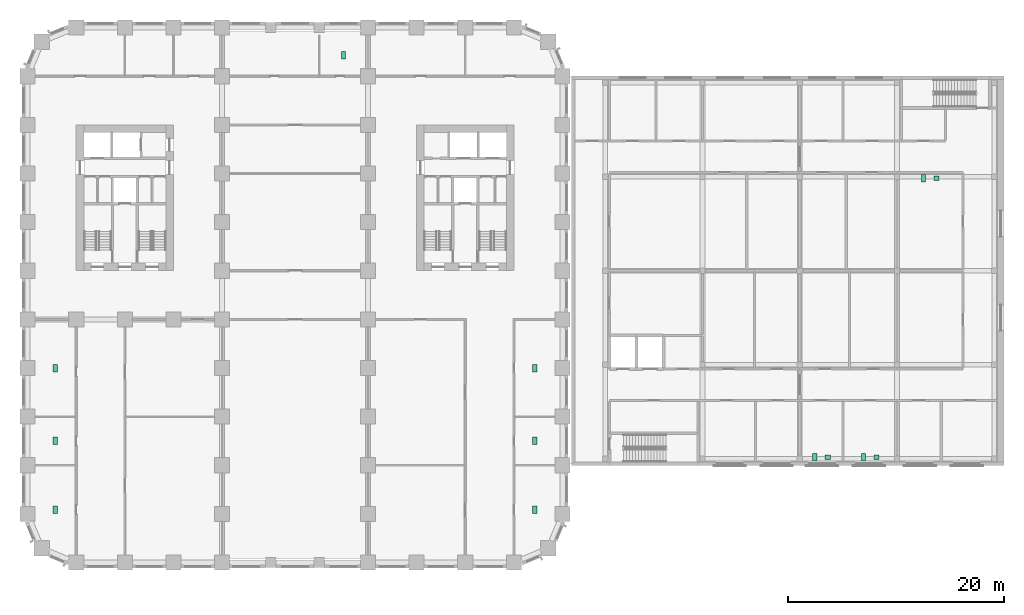
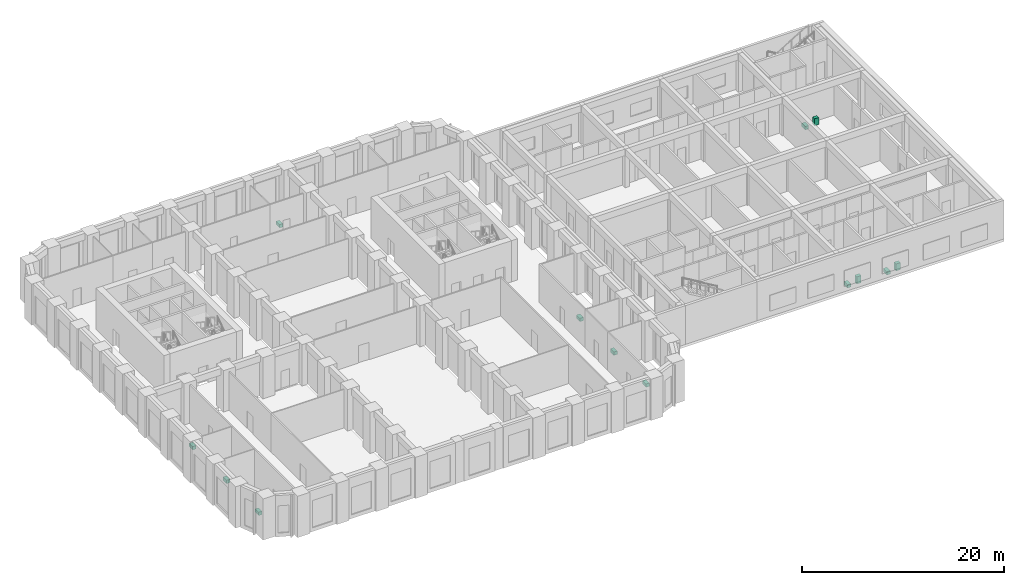
# One storey, part 19 of 19: 13 sanitary terminals.
"""IFC4 building model written with IfcOpenShell, lengths in metres."""

from ifc_helpers import new_model, si_unit, direction, frame, origin, origin_2d, place, context, subcontext, project, spatial, rectangle, extrude, material, type_object, element, save


model = new_model("IFC4")

# Units and contexts
model_context = context("Model", 3, precision=1e-05, world=origin(), true_north=direction((0.0, 1.0)))
body_context = subcontext(model_context, "Body", "Model", "MODEL_VIEW")
ifc_project = project(units=[si_unit("LENGTHUNIT", "METRE"), si_unit("AREAUNIT", "SQUARE_METRE"), si_unit("VOLUMEUNIT", "CUBIC_METRE"), si_unit("PLANEANGLEUNIT", "RADIAN"), si_unit("MASSUNIT", "GRAM", prefix="KILO")], contexts=[model_context])

# Site, building, storey
site_placement = place(None, origin())
site = spatial("IfcSite", under=ifc_project, at=site_placement, CompositionType="ELEMENT")
building_placement = place(site_placement, origin())
building = spatial("IfcBuilding", under=site, at=building_placement, Name="Girih Gate Residences", CompositionType="ELEMENT")
storey_placement = place(building_placement, frame((0.0, 0.0, 21.0)))
storey = spatial("IfcBuildingStorey", under=building, at=storey_placement, Name="L04", CompositionType="ELEMENT", Elevation=21.0)

# Sanitary terminals
ifc_material = material(Name="Vitreous china")
sanitary_terminal_type_1 = type_object("IfcSanitaryTerminalType", Name="HC WC pan", PredefinedType="WCSEAT", material=ifc_material)
for number, where, z_axis, x_axis, name in (
    (1, (72.85009765625, 9.75, 0.0), (0.0, 0.0, 1.0), (1.0, 0.0, 0.0), "L04 Accessible WC WC"),
    (2, (77.35009765625, 9.75, 0.0), (0.0, 0.0, 1.0), (1.0, 0.0, 0.0), "L04 Public WC WC"),
    (3, (82.89990234375, 35.550048828125, 0.0), (0.0, 0.0, 1.0), (1.0, 0.0, 0.0), "L04 Staff WC WC"),
):
    element("IfcSanitaryTerminal", number, at=place(storey_placement, frame(where, z_axis=z_axis, x_axis=x_axis)), inside=storey, type_object=sanitary_terminal_type_1, Name=name, PredefinedType="WCSEAT", context=body_context, shape_type="SweptSolid", body=[
        extrude(rectangle(XDim=0.39990234375, YDim=0.699951171875, at=origin_2d()), origin(), (0.0, 0.0, 1.0), 0.39990234375),
    ])
sanitary_terminal_type_2 = type_object("IfcSanitaryTerminalType", Name="HC Wash hand basin", PredefinedType="WASHHANDBASIN", material=ifc_material)
for number, where, z_axis, x_axis, name in (
    (4, (74.050048828125, 9.75, 0.0), (0.0, 0.0, 1.0), (1.0, 0.0, 0.0), "L04 Accessible WC basin"),
    (5, (78.550048828125, 9.75, 0.0), (0.0, 0.0, 1.0), (1.0, 0.0, 0.0), "L04 Public WC basin"),
    (6, (84.10009765625, 35.550048828125, 0.0), (0.0, 0.0, 1.0), (1.0, 0.0, 0.0), "L04 Staff WC basin"),
):
    element("IfcSanitaryTerminal", number, at=place(storey_placement, frame(where, z_axis=z_axis, x_axis=x_axis)), inside=storey, type_object=sanitary_terminal_type_2, Name=name, PredefinedType="WASHHANDBASIN", context=body_context, shape_type="SweptSolid", body=[
        extrude(rectangle(XDim=0.5, YDim=0.39990234375, at=origin_2d()), origin(), (0.0, 0.0, 1.0), 0.85009765625),
    ])
sanitary_terminal_type_3 = type_object("IfcSanitaryTerminalType", Name="WC pan", PredefinedType="TOILETPAN", material=ifc_material)
for number, where, z_axis, x_axis, name in (
    (7, (29.238037109375, 46.93798828125, 0.0), (0.0, 0.0, 1.0), (1.0, 0.0, 0.0), "WC pan L04"),
    (8, (46.93798828125, 4.868896484375, 0.0), (0.0, 0.0, 1.0), (1.0, 0.0, 0.0), "WC pan L04"),
    (9, (46.93798828125, 11.25, 0.0), (0.0, 0.0, 1.0), (1.0, 0.0, 0.0), "WC pan L04"),
    (10, (46.93798828125, 17.988037109375, 0.0), (0.0, 0.0, 1.0), (1.0, 0.0, 0.0), "WC pan L04"),
    (11, (2.56201171875, 4.868896484375, 0.0), (0.0, 0.0, 1.0), (1.0, 0.0, 0.0), "WC pan L04"),
    (12, (2.56201171875, 11.25, 0.0), (0.0, 0.0, 1.0), (1.0, 0.0, 0.0), "WC pan L04"),
    (13, (2.56201171875, 17.988037109375, 0.0), (0.0, 0.0, 1.0), (1.0, 0.0, 0.0), "WC pan L04"),
):
    element("IfcSanitaryTerminal", number, at=place(storey_placement, frame(where, z_axis=z_axis, x_axis=x_axis)), inside=storey, type_object=sanitary_terminal_type_3, Name=name, PredefinedType="TOILETPAN", context=body_context, shape_type="SweptSolid", body=[
        extrude(rectangle(XDim=0.39990234375, YDim=0.699951171875, at=origin_2d()), origin(), (0.0, 0.0, 1.0), 0.39990234375),
    ])

save(model, "model.ifc")
